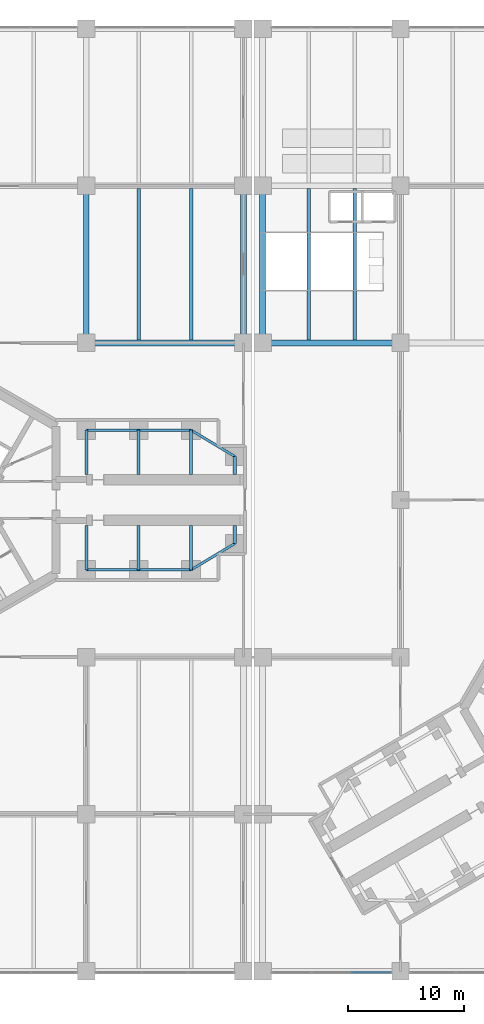
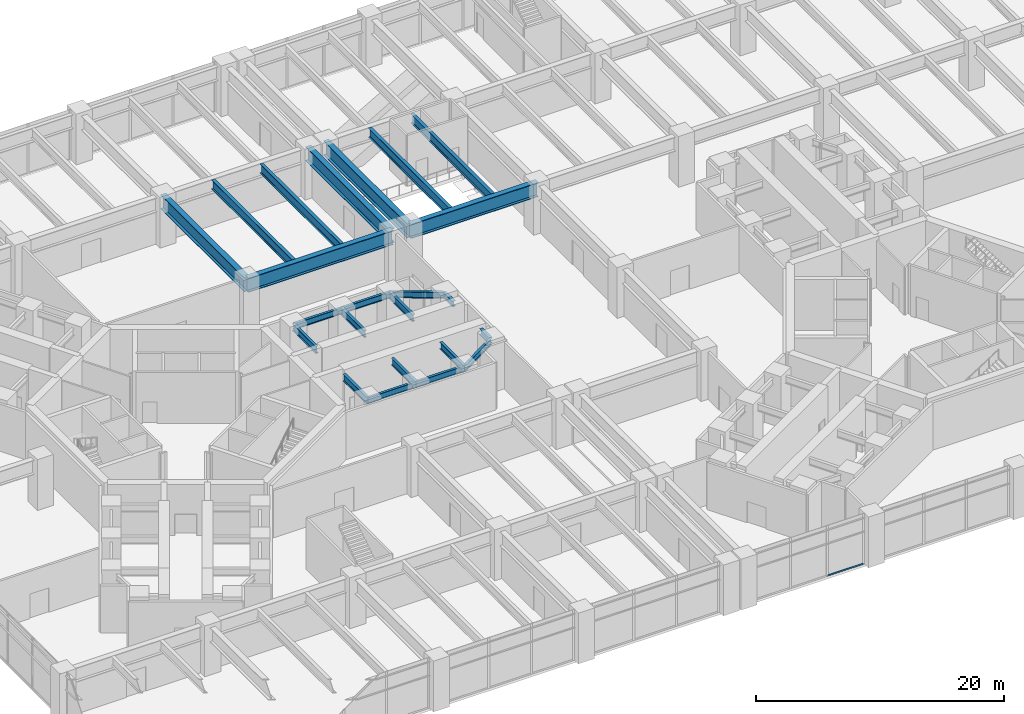
# One storey, part 8 of 32: 23 beams, 1 member, 1 element without a shape of its own.
"""IFC4 building model written with IfcOpenShell, lengths in metres."""

from ifc_helpers import new_model, si_unit, direction, frame, origin, origin_2d, place, context, subcontext, project, spatial, rectangle, i_section, extrude, material, material_profile, profile_set, type_object, element, aggregate, save


model = new_model("IFC4")

# Units and contexts
model_context = context("Model", 3, precision=1e-05, world=origin(), true_north=direction((0.0, 1.0)))
body_context = subcontext(model_context, "Body", "Model", "MODEL_VIEW")
ifc_project = project(units=[si_unit("LENGTHUNIT", "METRE"), si_unit("AREAUNIT", "SQUARE_METRE"), si_unit("VOLUMEUNIT", "CUBIC_METRE"), si_unit("PLANEANGLEUNIT", "RADIAN"), si_unit("MASSUNIT", "GRAM", prefix="KILO")], contexts=[model_context])

# Site, building, storey
site_placement = place(None, origin())
site = spatial("IfcSite", under=ifc_project, at=site_placement, CompositionType="ELEMENT")
building_placement = place(site_placement, origin())
building = spatial("IfcBuilding", under=site, at=building_placement, Name="Upepo Twin Towers", CompositionType="ELEMENT")
storey_placement = place(building_placement, frame((0.0, 0.0, 5.5)))
storey = spatial("IfcBuildingStorey", under=building, at=storey_placement, Name="L01", CompositionType="ELEMENT", Elevation=5.5)

# Beams
ifc_material_1 = material(Name="Steel S355", Category="steel")
ifc_material_profile_1 = material_profile(ifc_material_1, i_section(OverallWidth=0.5, OverallDepth=1.39990234375, WebThickness=0.02490234375, FlangeThickness=0.050048828125, FilletRadius=0.008056640625, at=origin_2d()), Name="PG 1400x500x25x50")
ifc_profile_set_1 = profile_set([ifc_material_profile_1], Name="Steel S355")
beam_type_1 = type_object("IfcBeamType", Name="Beam PG 1400x500x25x50", PredefinedType="BEAM", material=ifc_profile_set_1)
beam_1_placement = place(storey_placement, frame((13.5, 13.5, 3.949951171875), z_axis=(1.0, 0.0, 0.0), x_axis=(0.0, 1.0, 0.0)))
element("IfcBeam", 1, at=beam_1_placement, inside=storey, type_object=beam_type_1, Name="Podium girder E/4-5", PredefinedType="BEAM", context=body_context, shape_type="SweptSolid", body=[
    extrude(i_section(OverallWidth=0.5, OverallDepth=1.39990234375, WebThickness=0.02490234375, FlangeThickness=0.050048828125, FilletRadius=0.008056640625, at=origin_2d()), origin(), (0.0, 0.0, 1.0), 13.5),
])
beam_2_placement = place(storey_placement, frame((28.64990234375, 13.5, 3.949951171875), z_axis=(1.0, 0.0, 0.0), x_axis=(0.0, 1.0, 0.0)))
element("IfcBeam", 2, at=beam_2_placement, inside=storey, type_object=beam_type_1, Name="Podium girder E/5a-6", PredefinedType="BEAM", context=body_context, shape_type="SweptSolid", body=[
    extrude(i_section(OverallWidth=0.5, OverallDepth=1.39990234375, WebThickness=0.02490234375, FlangeThickness=0.050048828125, FilletRadius=0.008056640625, at=origin_2d()), origin(), (0.0, 0.0, 1.0), 11.85009765625),
])
for number, where, z_axis, x_axis, name in (
    (3, (13.5, 13.5, 3.949951171875), (0.0, 1.0, 0.0), (-1.0, 0.0, 0.0), "Podium girder 4/E-F"),
    (4, (27.0, 13.5, 3.949951171875), (0.0, 1.0, 0.0), (-1.0, 0.0, 0.0), "Podium girder 5/E-F"),
    (5, (28.64990234375, 13.5, 3.949951171875), (0.0, 1.0, 0.0), (-1.0, 0.0, 0.0), "Podium girder 5a/E-F"),
):
    element("IfcBeam", number, at=place(storey_placement, frame(where, z_axis=z_axis, x_axis=x_axis)), inside=storey, type_object=beam_type_1, Name=name, PredefinedType="BEAM", context=body_context, shape_type="SweptSolid", body=[
        extrude(i_section(OverallWidth=0.5, OverallDepth=1.39990234375, WebThickness=0.02490234375, FlangeThickness=0.050048828125, FilletRadius=0.008056640625, at=origin_2d()), origin(), (0.0, 0.0, 1.0), 13.5),
    ])
ifc_material_2 = material(Name="Steel S355", Category="steel")
ifc_material_profile_2 = material_profile(ifc_material_2, i_section(OverallWidth=0.31201171875, OverallDepth=0.54345703125, WebThickness=0.0126953125, FlangeThickness=0.020263671875, FilletRadius=0.0126953125, at=origin_2d()), Name="UB 533x312x150")
ifc_profile_set_2 = profile_set([ifc_material_profile_2], Name="Steel S355")
beam_type_2 = type_object("IfcBeamType", Name="Beam UB 533x312x150", PredefinedType="BEAM", material=ifc_profile_set_2)
for number, where, z_axis, x_axis, name in (
    (6, (26.25, 3.75, 4.378173828125), (0.0, -1.0, 0.0), (1.0, 0.0, 0.0), "T1 nose beam AL"),
    (7, (26.25, -3.75, 4.378173828125), (0.0, 1.0, 0.0), (-1.0, 0.0, 0.0), "T1 nose beam AR"),
):
    element("IfcBeam", number, at=place(storey_placement, frame(where, z_axis=z_axis, x_axis=x_axis)), inside=storey, type_object=beam_type_2, Name=name, PredefinedType="BEAM", context=body_context, shape_type="SweptSolid", body=[
        extrude(i_section(OverallWidth=0.31201171875, OverallDepth=0.54345703125, WebThickness=0.0126953125, FlangeThickness=0.020263671875, FilletRadius=0.0126953125, at=origin_2d()), origin(), (0.0, 0.0, 1.0), 1.550048828125),
    ])
ifc_material_3 = material(Name="Steel S355", Category="steel")
ifc_material_profile_3 = material_profile(ifc_material_3, i_section(OverallWidth=0.228271484375, OverallDepth=0.607666015625, WebThickness=0.010986328125, FlangeThickness=0.017333984375, FilletRadius=0.0126953125, at=origin_2d()), Name="UB 610x229x113")
ifc_profile_set_3 = profile_set([ifc_material_profile_3], Name="Steel S355")
beam_type_3 = type_object("IfcBeamType", Name="Beam UB 610x229x113", PredefinedType="BEAM", material=ifc_profile_set_3)
for number, where, z_axis, x_axis, name in (
    (8, (13.5, 6.0, 4.34619140625), (1.0, 0.0, 0.0), (0.0, 1.0, 0.0), "T1 edge beam AL 13.5-18.0"),
    (9, (18.0, 6.0, 4.34619140625), (1.0, 0.0, 0.0), (0.0, 1.0, 0.0), "T1 edge beam AL 18.0-22.5"),
):
    element("IfcBeam", number, at=place(storey_placement, frame(where, z_axis=z_axis, x_axis=x_axis)), inside=storey, type_object=beam_type_3, Name=name, PredefinedType="BEAM", context=body_context, shape_type="SweptSolid", body=[
        extrude(i_section(OverallWidth=0.228271484375, OverallDepth=0.607666015625, WebThickness=0.010986328125, FlangeThickness=0.017333984375, FilletRadius=0.0126953125, at=origin_2d()), origin(), (0.0, 0.0, 1.0), 4.5),
    ])
beam_3_placement = place(storey_placement, frame((22.5, 6.0, 4.34619140625), z_axis=(0.857492925713, -0.514495755428, 0.0), x_axis=(0.514495755428, 0.857492925713, 0.0)))
element("IfcBeam", 10, at=beam_3_placement, inside=storey, type_object=beam_type_3, Name="T1 nose edge beam AL", PredefinedType="BEAM", context=body_context, shape_type="SweptSolid", body=[
    extrude(i_section(OverallWidth=0.228271484375, OverallDepth=0.607666015625, WebThickness=0.010986328125, FlangeThickness=0.017333984375, FilletRadius=0.0126953125, at=origin_2d()), origin(), (0.0, 0.0, 1.0), 4.373291015625),
])
for number, where, z_axis, x_axis, name in (
    (11, (13.5, -6.0, 4.34619140625), (1.0, 0.0, 0.0), (0.0, 1.0, 0.0), "T1 edge beam AR 13.5-18.0"),
    (12, (18.0, -6.0, 4.34619140625), (1.0, 0.0, 0.0), (0.0, 1.0, 0.0), "T1 edge beam AR 18.0-22.5"),
):
    element("IfcBeam", number, at=place(storey_placement, frame(where, z_axis=z_axis, x_axis=x_axis)), inside=storey, type_object=beam_type_3, Name=name, PredefinedType="BEAM", context=body_context, shape_type="SweptSolid", body=[
        extrude(i_section(OverallWidth=0.228271484375, OverallDepth=0.607666015625, WebThickness=0.010986328125, FlangeThickness=0.017333984375, FilletRadius=0.0126953125, at=origin_2d()), origin(), (0.0, 0.0, 1.0), 4.5),
    ])
beam_4_placement = place(storey_placement, frame((22.5, -6.0, 4.34619140625), z_axis=(0.857492925713, 0.514495755428, 0.0), x_axis=(-0.514495755428, 0.857492925713, 0.0)))
element("IfcBeam", 13, at=beam_4_placement, inside=storey, type_object=beam_type_3, Name="T1 nose edge beam AR", PredefinedType="BEAM", context=body_context, shape_type="SweptSolid", body=[
    extrude(i_section(OverallWidth=0.228271484375, OverallDepth=0.607666015625, WebThickness=0.010986328125, FlangeThickness=0.017333984375, FilletRadius=0.0126953125, at=origin_2d()), origin(), (0.0, 0.0, 1.0), 4.373291015625),
])
ifc_material_4 = material(Name="Steel S355", Category="steel")
ifc_material_profile_4 = material_profile(ifc_material_4, i_section(OverallWidth=0.253662109375, OverallDepth=0.68359375, WebThickness=0.012451171875, FlangeThickness=0.01904296875, FilletRadius=0.01513671875, at=origin_2d()), Name="UB 686x254x140")
ifc_profile_set_4 = profile_set([ifc_material_profile_4], Name="Steel S355")
beam_type_4 = type_object("IfcBeamType", Name="Beam UB 686x254x140", PredefinedType="BEAM", material=ifc_profile_set_4)
for number, where, z_axis, x_axis, name in (
    (14, (13.5, 6.0, 4.308349609375), (0.0, -1.0, 0.0), (1.0, 0.0, 0.0), "T1 girder AL at 13.5"),
    (15, (18.0, 6.0, 4.308349609375), (0.0, -1.0, 0.0), (1.0, 0.0, 0.0), "T1 girder AL at 18.0"),
    (16, (22.5, 6.0, 4.308349609375), (0.0, -1.0, 0.0), (1.0, 0.0, 0.0), "T1 girder AL at 22.5"),
    (17, (13.5, -6.0, 4.308349609375), (0.0, 1.0, 0.0), (-1.0, 0.0, 0.0), "T1 girder AR at 13.5"),
    (18, (18.0, -6.0, 4.308349609375), (0.0, 1.0, 0.0), (-1.0, 0.0, 0.0), "T1 girder AR at 18.0"),
    (19, (22.5, -6.0, 4.308349609375), (0.0, 1.0, 0.0), (-1.0, 0.0, 0.0), "T1 girder AR at 22.5"),
):
    element("IfcBeam", number, at=place(storey_placement, frame(where, z_axis=z_axis, x_axis=x_axis)), inside=storey, type_object=beam_type_4, Name=name, PredefinedType="BEAM", context=body_context, shape_type="SweptSolid", body=[
        extrude(i_section(OverallWidth=0.253662109375, OverallDepth=0.68359375, WebThickness=0.012451171875, FlangeThickness=0.01904296875, FilletRadius=0.01513671875, at=origin_2d()), origin(), (0.0, 0.0, 1.0), 3.800048828125),
    ])
ifc_material_5 = material(Name="Steel S355", Category="steel")
ifc_material_profile_5 = material_profile(ifc_material_5, i_section(OverallWidth=0.305419921875, OverallDepth=0.91845703125, WebThickness=0.017333984375, FlangeThickness=0.02783203125, FilletRadius=0.01904296875, at=origin_2d()), Name="UB 914x305x253")
ifc_profile_set_5 = profile_set([ifc_material_profile_5], Name="Steel S355")
beam_type_5 = type_object("IfcBeamType", Name="Secondary beam UB 914x305x253", PredefinedType="JOIST", material=ifc_profile_set_5)
for number, where, z_axis, x_axis, name in (
    (20, (18.0, 13.75, 4.19091796875), (0.0, 1.0, 0.0), (-1.0, 0.0, 0.0), "Podium secondary beam E4.1"),
    (21, (22.5, 13.75, 4.19091796875), (0.0, 1.0, 0.0), (-1.0, 0.0, 0.0), "Podium secondary beam E4.2"),
    (22, (32.60009765625, 13.75, 4.19091796875), (0.0, 1.0, 0.0), (-1.0, 0.0, 0.0), "Podium secondary beam E5a.1"),
    (23, (36.550048828125, 13.75, 4.19091796875), (0.0, 1.0, 0.0), (-1.0, 0.0, 0.0), "Podium secondary beam E5a.2"),
):
    element("IfcBeam", number, at=place(storey_placement, frame(where, z_axis=z_axis, x_axis=x_axis)), inside=storey, type_object=beam_type_5, Name=name, PredefinedType="JOIST", context=body_context, shape_type="SweptSolid", body=[
        extrude(i_section(OverallWidth=0.305419921875, OverallDepth=0.91845703125, WebThickness=0.017333984375, FlangeThickness=0.02783203125, FilletRadius=0.01904296875, at=origin_2d()), origin(), (0.0, 0.0, 1.0), 13.0),
    ])

# Curtain wall, member
ifc_material_6 = material(Name="Aluminium and clear glass", Category="aluminium")
curtain_wall_type = type_object("IfcCurtainWallType", Name="Podium curtain wall PW1", PredefinedType="NOTDEFINED", material=ifc_material_6)
curtain_wall_placement = place(storey_placement, origin())
curtain_wall = element("IfcCurtainWall", 24, at=curtain_wall_placement, inside=storey, type_object=curtain_wall_type, Name="Podium L01 curtain wall S5", PredefinedType="NOTDEFINED")
ifc_material_7 = material(Name="Aluminium transom", Category="aluminium")
ifc_material_profile_6 = material_profile(ifc_material_7, rectangle(XDim=0.06494140625, YDim=0.14990234375, at=origin_2d()), Name="TRANSOM 65x150 PODIUM")
ifc_profile_set_6 = profile_set([ifc_material_profile_6], Name="Aluminium transom")
member_type = type_object("IfcMemberType", Name="Transom 65x150 PW1", PredefinedType="USERDEFINED", material=ifc_profile_set_6)
member_placement = place(storey_placement, frame((36.32080078125, -40.60009765625, 0.074951171875), z_axis=(1.0, 0.0, 0.0), x_axis=(0.0, 1.0, 0.0)))
member = element("IfcMember", 25, at=member_placement, type_object=member_type, Name="Podium L01 curtain wall S5 transom 3", ObjectType="TRANSOM", PredefinedType="USERDEFINED", context=body_context, shape_type="SweptSolid", body=[
    extrude(rectangle(XDim=0.06494140625, YDim=0.14990234375, at=origin_2d()), origin(), (0.0, 0.0, 1.0), 3.3291015625),
])
aggregate(curtain_wall, [member])

save(model, "model.ifc")
